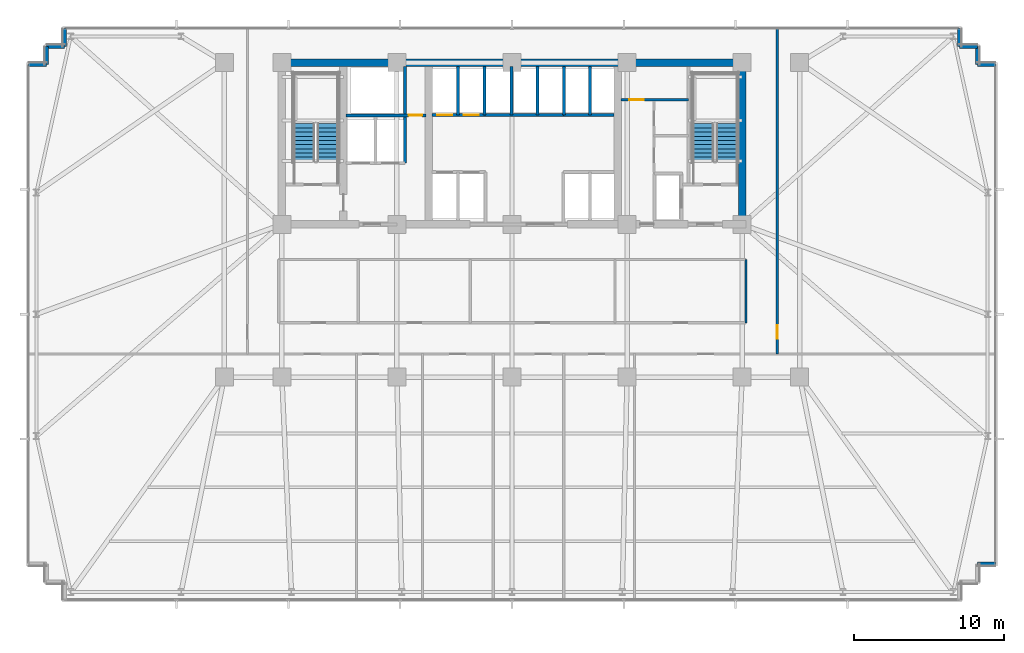
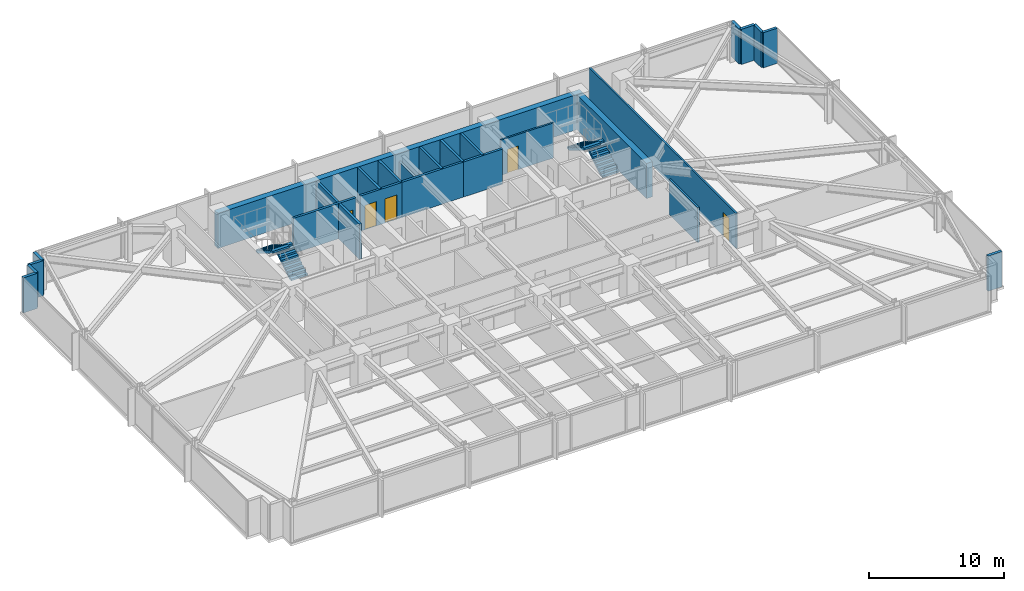
# One storey, part 26 of 32: 25 walls, 5 doors, 4 stair flights, 5 openings, 2 elements without a shape of their own.
"""IFC4 building model written with IfcOpenShell, lengths in metres."""

import ifcopenshell
import ifcopenshell.guid

model = None  # the IFC model being written
_history = None  # IfcOwnerHistory: only IFC2X3 demands one
_inside = {}  # id of a spatial element -> (the spatial element, [elements in it])
_under = {}  # id of a project, library or spatial element -> (it, [spatial elements below it])
_declared = {}  # id of a project -> (the project, [libraries it declares])
_typed = {}  # id of a type object -> (the type object, [elements of that type])
_made_of = {}  # id of a material, layer set ... -> (it, [elements and type objects made of it])


def new_model(schema):
    """Start an empty IFC model of exactly this schema.

    Asked for "IFC4X3", IfcOpenShell would pick the latest addendum, in which some entities
    have other attributes; the version numbers below select the first issue.
    IFC2X3 requires an IfcOwnerHistory on every rooted entity: one is made here for all.
    """
    global model, _history
    if schema == "IFC4X3":
        model = ifcopenshell.file(schema_version=(4, 3, 0, 0))
    else:
        model = ifcopenshell.file(schema=schema)
    _inside.clear()
    _under.clear()
    _declared.clear()
    _typed.clear()
    _made_of.clear()
    _history = None
    if model.schema == "IFC2X3":
        org = make("IfcOrganization", Name="unknown")
        user = make(
            "IfcPersonAndOrganization",
            ThePerson=make("IfcPerson", FamilyName="unknown"),
            TheOrganization=org,
        )
        app = make(
            "IfcApplication",
            ApplicationDeveloper=org,
            Version="unknown",
            ApplicationFullName="unknown",
            ApplicationIdentifier="unknown",
        )
        _history = make(
            "IfcOwnerHistory",
            OwningUser=user,
            OwningApplication=app,
            ChangeAction="ADDED",
            CreationDate=0,
        )
    return model


def make(cls, **values):
    """One entity of the class cls with the attributes given. An attribute that is None is left unset."""
    return model.create_entity(
        cls, **{name: value for name, value in values.items() if value is not None}
    )


def rooted(cls, **values):
    """An entity with a GlobalId (a new one), such as an element, a storey or a relation."""
    return make(cls, GlobalId=ifcopenshell.guid.new(), OwnerHistory=_history, **values)


def si_unit(unit_type, name, prefix=None):
    """IfcSIUnit, for example si_unit("LENGTHUNIT", "METRE", prefix="MILLI")."""
    return make("IfcSIUnit", UnitType=unit_type, Prefix=prefix, Name=name)


def assignment(units):
    """IfcUnitAssignment: the units of a project."""
    return None if units is None else make("IfcUnitAssignment", Units=units)


def point(xyz):
    """IfcCartesianPoint."""
    return None if xyz is None else make("IfcCartesianPoint", Coordinates=xyz)


def direction(xyz):
    """IfcDirection."""
    return None if xyz is None else make("IfcDirection", DirectionRatios=xyz)


def frame(location, z_axis=None, x_axis=None):
    """IfcAxis2Placement3D, a coordinate frame: its origin and axes. An axis left out is left unset."""
    return make(
        "IfcAxis2Placement3D",
        Location=point(location),
        Axis=direction(z_axis),
        RefDirection=direction(x_axis),
    )


def frame_2d(location, x_axis=None):
    """IfcAxis2Placement2D, a coordinate frame in the plane: its origin and x axis."""
    return make(
        "IfcAxis2Placement2D", Location=point(location), RefDirection=direction(x_axis)
    )


def origin():
    """The frame at (0, 0, 0) with its axes left unset."""
    return frame((0.0, 0.0, 0.0))


def place(relative_to, where):
    """IfcLocalPlacement: puts the frame where relative to a parent placement (None: the world)."""
    return make(
        "IfcLocalPlacement", PlacementRelTo=relative_to, RelativePlacement=where
    )


def context(
    kind, dimensions, precision=None, world=None, true_north=None, identifier=None
):
    """IfcGeometricRepresentationContext, for example the 3D "Model" context."""
    return make(
        "IfcGeometricRepresentationContext",
        ContextIdentifier=identifier,
        ContextType=kind,
        CoordinateSpaceDimension=dimensions,
        Precision=precision,
        WorldCoordinateSystem=world,
        TrueNorth=true_north,
    )


def subcontext(parent, identifier, kind, view, scale=None):
    """IfcGeometricRepresentationSubContext, for example "Body" below "Model"."""
    return make(
        "IfcGeometricRepresentationSubContext",
        ContextIdentifier=identifier,
        ContextType=kind,
        ParentContext=parent,
        TargetScale=scale,
        TargetView=view,
    )


def project(units=None, contexts=None):
    """IfcProject with its units and contexts."""
    return rooted(
        "IfcProject",
        Name="project",
        RepresentationContexts=contexts,
        UnitsInContext=assignment(units),
    )


def spatial(cls, under=None, at=None, **own):
    """A site, building, storey or space (cls), placed at a placement, below another one or the project."""
    s = rooted(cls, ObjectPlacement=at, **own)
    if under is not None:
        _under.setdefault(under.id(), (under, []))[1].append(s)
    return s


def polyline(points):
    """IfcPolyline through the points."""
    return make("IfcPolyline", Points=[point(p) for p in points])


def profile(cls, at=None, kind="AREA", **sizes):
    """A parametric profile (cls). Its sizes go by their IFC names, for example OverallWidth=200.0."""
    return make(cls, ProfileType=kind, Position=at, **sizes)


def rectangle(**sizes):
    """IfcRectangleProfileDef."""
    return profile("IfcRectangleProfileDef", **sizes)


def outline(outer, holes=None, kind="AREA"):
    """IfcArbitraryClosedProfileDef: a profile drawn as a closed curve; with holes, ...WithVoids."""
    if holes is None:
        return make("IfcArbitraryClosedProfileDef", ProfileType=kind, OuterCurve=outer)
    return make(
        "IfcArbitraryProfileDefWithVoids",
        ProfileType=kind,
        OuterCurve=outer,
        InnerCurves=holes,
    )


def extrude(swept, where, along, depth):
    """IfcExtrudedAreaSolid: the profile swept, set in the frame where, extruded along a direction by depth."""
    return make(
        "IfcExtrudedAreaSolid",
        SweptArea=swept,
        Position=where,
        ExtrudedDirection=direction(along),
        Depth=depth,
    )


def shape(context_of_items, identifier, shape_type, items):
    """IfcShapeRepresentation: the items that make up one representation, for example the "Body"."""
    return make(
        "IfcShapeRepresentation",
        ContextOfItems=context_of_items,
        RepresentationIdentifier=identifier,
        RepresentationType=shape_type,
        Items=items,
    )


def material(Name=None, Category=None):
    """IfcMaterial."""
    return make("IfcMaterial", Name=Name, Category=Category)


def layer(
    of_material, thickness, ventilated=None, Name=None, Category=None, Priority=None
):
    """IfcMaterialLayer: one layer of a wall or slab, of a material (None: an air gap)."""
    return make(
        "IfcMaterialLayer",
        Material=of_material,
        LayerThickness=thickness,
        IsVentilated=ventilated,
        Name=Name,
        Category=Category,
        Priority=Priority,
    )


def layer_set(layers, Name=None):
    """IfcMaterialLayerSet."""
    return make("IfcMaterialLayerSet", MaterialLayers=layers, LayerSetName=Name)


def made_of(thing, what):
    """Note that an element or type object is made of a material, layer set ...; save() writes the relation."""
    if what is not None:
        _made_of.setdefault(what.id(), (what, []))[1].append(thing)
    return thing


def type_object(cls, material=None, **own):
    """A type object (cls), such as IfcWallType, which elements share."""
    return made_of(rooted(cls, **own), material)


def element(
    cls,
    number,
    at=None,
    inside=None,
    cuts=None,
    type_object=None,
    material=None,
    context=None,
    identifier="Body",
    shape_type=None,
    held_by="IfcProductDefinitionShape",
    body=None,
    shapes=None,
    **own,
):
    """One element of the class cls, such as IfcWall. Its Tag is "e" and its number.

    at: its placement. inside: the storey or other place that contains it. cuts: it is an
    opening in that element (IfcRelVoidsElement). A single representation is given by context,
    identifier, shape_type and body (its items); several are given by shapes. held_by: the class
    of the entity that holds the representations. save() writes the other relations.
    """
    e = rooted(cls, Tag="e%d" % number, ObjectPlacement=at, **own)
    if body is not None:
        shapes = [shape(context, identifier, shape_type, body)]
    if shapes is not None:
        e.Representation = make(held_by, Representations=shapes)
    if inside is not None:
        _inside.setdefault(inside.id(), (inside, []))[1].append(e)
    if cuts is not None:
        rooted(
            "IfcRelVoidsElement", RelatingBuildingElement=cuts, RelatedOpeningElement=e
        )
    if type_object is not None:
        _typed.setdefault(type_object.id(), (type_object, []))[1].append(e)
    return made_of(e, material)


def fill(opening, filler):
    """IfcRelFillsElement: the door or window that sits in an opening."""
    return rooted(
        "IfcRelFillsElement",
        RelatingOpeningElement=opening,
        RelatedBuildingElement=filler,
    )


def aggregate(whole, parts):
    """IfcRelAggregates: a whole, such as a stair, and the parts it consists of."""
    return rooted("IfcRelAggregates", RelatingObject=whole, RelatedObjects=parts)


def save(model, path):
    """Write the relations noted so far, then the file.

    IfcRelAggregates (storeys below a building ...), IfcRelContainedInSpatialStructure (elements
    in a storey), IfcRelDefinesByType, IfcRelAssociatesMaterial and IfcRelDeclares: one each for
    every whole, place, type object, material and project.
    """
    for whole, parts in _under.values():
        aggregate(whole, parts)
    for where, things in _inside.values():
        rooted(
            "IfcRelContainedInSpatialStructure",
            RelatedElements=things,
            RelatingStructure=where,
        )
    for kind, things in _typed.values():
        rooted("IfcRelDefinesByType", RelatedObjects=things, RelatingType=kind)
    for what, things in _made_of.values():
        rooted("IfcRelAssociatesMaterial", RelatedObjects=things, RelatingMaterial=what)
    for by, libraries in _declared.values():
        rooted("IfcRelDeclares", RelatingContext=by, RelatedDefinitions=libraries)
    model.write(path)


model = new_model("IFC4")

# Units and contexts
model_context = context("Model", 3, precision=1e-05, world=origin(), true_north=direction((0.0, 1.0)))
body_context = subcontext(model_context, "Body", "Model", "MODEL_VIEW")
ifc_project = project(units=[si_unit("LENGTHUNIT", "METRE"), si_unit("AREAUNIT", "SQUARE_METRE"), si_unit("VOLUMEUNIT", "CUBIC_METRE"), si_unit("PLANEANGLEUNIT", "RADIAN"), si_unit("MASSUNIT", "GRAM", prefix="KILO")], contexts=[model_context])

# Site, building, storey
site_placement = place(None, origin())
site = spatial("IfcSite", under=ifc_project, at=site_placement, CompositionType="ELEMENT")
building_placement = place(site_placement, origin())
building = spatial("IfcBuilding", under=site, at=building_placement, Name="Yelkora Congress Tower", CompositionType="ELEMENT")
storey_placement = place(building_placement, frame((0.0, 0.0, 61.0)))
storey = spatial("IfcBuildingStorey", under=building, at=storey_placement, Name="L15", CompositionType="ELEMENT", Elevation=61.0)

# Walls
ifc_material_1 = material(Name="Concrete C60/75", Category="concrete")
ifc_layer_1 = layer(ifc_material_1, 0.5)
ifc_layer_set_1 = layer_set([ifc_layer_1], Name="Concrete C60/75")
wall_type_1 = type_object("IfcWallType", Name="WALL-CORE-INT-500", PredefinedType="SHEAR", material=ifc_layer_set_1)
wall_1_placement = place(storey_placement, frame((22.7900390625, 46.199951171875, 0.0), z_axis=(0.0, 0.0, 1.0), x_axis=(1.0, 0.0, 0.0)))
element("IfcWall", 1, at=wall_1_placement, inside=storey, type_object=wall_type_1, Name="L15 Rear Core North Shear Wall", PredefinedType="SHEAR", context=body_context, shape_type="SweptSolid", body=[
    extrude(rectangle(XDim=31.219970703125, YDim=0.5, at=frame_2d((15.60986328125, 0.0))), origin(), (0.0, 0.0, 1.0), 3.179931640625),
])
wall_2_placement = place(storey_placement, frame((53.760009765625, 35.64990234375, 0.0), z_axis=(0.0, 0.0, 1.0), x_axis=(0.0, 1.0, 0.0)))
element("IfcWall", 2, at=wall_2_placement, inside=storey, type_object=wall_type_1, Name="L15 Rear Core Cross Shear Wall E", PredefinedType="SHEAR", context=body_context, shape_type="SweptSolid", body=[
    extrude(rectangle(XDim=10.300048828125, YDim=0.5, at=frame_2d((5.14990234375, 0.0))), origin(), (0.0, 0.0, 1.0), 3.179931640625),
])
ifc_material_2 = material(Name="Concrete C40/50", Category="concrete")
ifc_layer_2 = layer(ifc_material_2, 0.239990234375)
ifc_layer_set_2 = layer_set([ifc_layer_2], Name="Concrete C40/50")
wall_type_2 = type_object("IfcWallType", Name="WALL-EXT-LIMESTONE-240", PredefinedType="SOLIDWALL", material=ifc_layer_set_2)
wall_3_placement = place(storey_placement, frame((6.139892578125, 46.06005859375, 0.0), z_axis=(0.0, 0.0, 1.0), x_axis=(1.0, 0.0, 0.0)))
element("IfcWall", 3, at=wall_3_placement, inside=storey, type_object=wall_type_2, Name="L15 Serrated Corner Limestone Pier 6", PredefinedType="SOLIDWALL", context=body_context, shape_type="SweptSolid", body=[
    extrude(rectangle(XDim=1.2001953125, YDim=0.239990234375, at=frame_2d((0.60009765625, 0.0))), origin(), (0.0, 0.0, 1.0), 3.179931640625),
])
for number, where, z_axis, x_axis, name in (
    (4, (7.340087890625, 46.06005859375, 0.0), (0.0, 0.0, 1.0), (0.0, 1.0, 0.0), "L15 Serrated Corner Limestone Pier 7"),
    (5, (7.340087890625, 47.260009765625, 0.0), (0.0, 0.0, 1.0), (1.0, 0.0, 0.0), "L15 Serrated Corner Limestone Pier 8"),
    (6, (8.5400390625, 47.260009765625, 0.0), (0.0, 0.0, 1.0), (0.0, 1.0, 0.0), "L15 Serrated Corner Limestone Pier 9"),
    (7, (68.260009765625, 48.4599609375, 0.0), (0.0, 0.0, 1.0), (0.0, -1.0, 0.0), "L15 Serrated Corner Limestone Pier 11"),
    (8, (68.260009765625, 47.260009765625, 0.0), (0.0, 0.0, 1.0), (1.0, 0.0, 0.0), "L15 Serrated Corner Limestone Pier 12"),
    (9, (69.4599609375, 47.260009765625, 0.0), (0.0, 0.0, 1.0), (0.0, -1.0, 0.0), "L15 Serrated Corner Limestone Pier 13"),
    (10, (69.4599609375, 46.06005859375, 0.0), (0.0, 0.0, 1.0), (1.0, 0.0, 0.0), "L15 Serrated Corner Limestone Pier 14"),
    (11, (70.659912109375, 12.739990234375, 0.0), (0.0, 0.0, 1.0), (-1.0, 0.0, 0.0), "L15 Serrated Corner Limestone Pier 16"),
):
    element("IfcWall", number, at=place(storey_placement, frame(where, z_axis=z_axis, x_axis=x_axis)), inside=storey, type_object=wall_type_2, Name=name, PredefinedType="SOLIDWALL", context=body_context, shape_type="SweptSolid", body=[
        extrude(rectangle(XDim=1.199951171875, YDim=0.239990234375, at=frame_2d((0.60009765625, 0.0))), origin(), (0.0, 0.0, 1.0), 3.179931640625),
    ])

# Wall, opening, door
ifc_material_3 = material(Name="Acoustic metal-stud gypsum partition", Category="gypsum")
ifc_layer_3 = layer(ifc_material_3, 0.14990234375)
ifc_layer_set_3 = layer_set([ifc_layer_3], Name="Acoustic metal-stud gypsum partition")
wall_type_3 = type_object("IfcWallType", Name="WALL-INT-150-NR", PredefinedType="PARTITIONING", material=ifc_layer_set_3)
wall_4_placement = place(storey_placement, frame((45.679931640625, 43.719970703125, 0.0), z_axis=(0.0, 0.0, 1.0), x_axis=(1.0, 0.0, 0.0)))
wall_4 = element("IfcWall", 12, at=wall_4_placement, inside=storey, type_object=wall_type_3, Name="L15 Partition Wall 28", PredefinedType="PARTITIONING", context=body_context, shape_type="SweptSolid", body=[
    extrude(rectangle(XDim=4.5, YDim=0.14990234375, at=frame_2d((2.25, 0.0))), origin(), (0.0, 0.0, 1.0), 3.179931640625),
])
opening_1_placement = place(wall_4_placement, frame((0.550048828125, 0.0, 0.0)))
opening_1 = element("IfcOpeningElement", 13, at=opening_1_placement, cuts=wall_4, Name="Opening DR-095N", PredefinedType="OPENING", context=body_context, shape_type="SweptSolid", body=[
    extrude(rectangle(XDim=0.949951171875, YDim=2.14990234375, at=frame_2d((0.47509765625, 1.074951171875))), frame((0.0, 0.0849609375, 0.0), z_axis=(0.0, -1.0, 0.0), x_axis=(1.0, 0.0, 0.0)), (0.0, 0.0, 1.0), 0.169921875),
])
ifc_material_4 = material(Name="Acoustic laminated timber office door", Category="wood")
door_type_1 = type_object("IfcDoorType", Name="DOOR-INT-950", OperationType="NOTDEFINED", PredefinedType="DOOR", material=ifc_material_4)
door_1_placement = place(opening_1_placement, origin())
door_1 = element("IfcDoor", 14, at=door_1_placement, inside=storey, type_object=door_type_1, Name="L15 Accessible WC Door", OperationType="SINGLE_SWING_RIGHT", OverallHeight=2.14990234375, OverallWidth=0.949951171875, PredefinedType="DOOR", context=body_context, shape_type="SweptSolid", body=[
    extrude(rectangle(XDim=0.949951171875, YDim=2.14990234375, at=frame_2d((0.47509765625, 1.074951171875))), frame((0.0, 0.02490234375, 0.0), z_axis=(0.0, -1.0, 0.0), x_axis=(1.0, 0.0, 0.0)), (0.0, 0.0, 1.0), 0.050048828125),
])
fill(opening_1, door_1)

wall_5_placement = place(storey_placement, frame((56.10009765625, 26.75, 0.0), z_axis=(0.0, 0.0, 1.0), x_axis=(0.0, 1.0, 0.0)))
wall_5 = element("IfcWall", 15, at=wall_5_placement, inside=storey, type_object=wall_type_3, Name="L15 Partition Wall 38", PredefinedType="PARTITIONING", context=body_context, shape_type="SweptSolid", body=[
    extrude(rectangle(XDim=21.77001953125, YDim=0.14990234375, at=frame_2d((10.885009765625, 0.0))), origin(), (0.0, 0.0, 1.0), 3.179931640625),
])
opening_2_placement = place(wall_5_placement, frame((1.030029296875, 0.0, 0.0)))
opening_2 = element("IfcOpeningElement", 16, at=opening_2_placement, cuts=wall_5, Name="Opening DR-090N", PredefinedType="OPENING", context=body_context, shape_type="SweptSolid", body=[
    extrude(rectangle(XDim=0.89990234375, YDim=2.14990234375, at=frame_2d((0.449951171875, 1.074951171875))), frame((0.0, 0.0849609375, 0.0), z_axis=(0.0, -1.0, 0.0), x_axis=(1.0, 0.0, 0.0)), (0.0, 0.0, 1.0), 0.169921875),
])
ifc_material_5 = material(Name="Moisture-resistant laminate door leaf", Category="wood")
door_type_2 = type_object("IfcDoorType", Name="DOOR-INT-900", OperationType="NOTDEFINED", PredefinedType="DOOR", material=ifc_material_5)
door_2_placement = place(opening_2_placement, origin())
door_2 = element("IfcDoor", 17, at=door_2_placement, inside=storey, type_object=door_type_2, Name="L15 E Wing Door", OperationType="SINGLE_SWING_RIGHT", OverallHeight=2.14990234375, OverallWidth=0.89990234375, PredefinedType="DOOR", context=body_context, shape_type="SweptSolid", body=[
    extrude(rectangle(XDim=0.89990234375, YDim=2.14990234375, at=frame_2d((0.449951171875, 1.074951171875))), frame((0.0, 0.02490234375, 0.0), z_axis=(0.0, -1.0, 0.0), x_axis=(1.0, 0.0, 0.0)), (0.0, 0.0, 1.0), 0.050048828125),
])
fill(opening_2, door_2)

# Walls
wall_6_placement = place(storey_placement, frame((54.02001953125, 28.830078125, 0.0), z_axis=(0.0, 0.0, 1.0), x_axis=(0.0, 1.0, 0.0)))
element("IfcWall", 18, at=wall_6_placement, inside=storey, type_object=wall_type_3, Name="L15 Partition Wall 40", PredefinedType="PARTITIONING", context=body_context, shape_type="SweptSolid", body=[
    extrude(rectangle(XDim=4.219970703125, YDim=0.14990234375, at=frame_2d((2.10986328125, 0.0))), origin(), (0.0, 0.0, 1.0), 3.179931640625),
])
ifc_material_6 = material(Name="Autoclaved aerated concrete blockwork", Category="masonry")
ifc_layer_4 = layer(ifc_material_6, 0.199951171875)
ifc_layer_set_4 = layer_set([ifc_layer_4], Name="Autoclaved aerated concrete blockwork")
wall_type_4 = type_object("IfcWallType", Name="WALL-INT-200-R120", PredefinedType="PARTITIONING", material=ifc_layer_set_4)
wall_7_placement = place(storey_placement, frame((31.260009765625, 39.47998046875, 0.0), z_axis=(0.0, 0.0, 1.0), x_axis=(0.0, 1.0, 0.0)))
element("IfcWall", 19, at=wall_7_placement, inside=storey, type_object=wall_type_4, Name="L15 Partition Wall 5", PredefinedType="PARTITIONING", context=body_context, shape_type="SweptSolid", body=[
    extrude(rectangle(XDim=6.43994140625, YDim=0.199951171875, at=frame_2d((3.219970703125, 0.0))), origin(), (0.0, 0.0, 1.0), 3.179931640625),
])

# Wall, opening, door
wall_8_placement = place(storey_placement, frame((27.320068359375, 42.679931640625, 0.0), z_axis=(0.0, 0.0, 1.0), x_axis=(1.0, 0.0, 0.0)))
wall_8 = element("IfcWall", 20, at=wall_8_placement, inside=storey, type_object=wall_type_4, Name="L15 Smoke Riser South Wall", PredefinedType="PARTITIONING", context=body_context, shape_type="SweptSolid", body=[
    extrude(rectangle(XDim=5.329833984375, YDim=0.199951171875, at=frame_2d((2.6650390625, 0.0))), origin(), (0.0, 0.0, 1.0), 3.179931640625),
])
opening_3_placement = place(wall_8_placement, frame((4.179931640625, 0.0, 0.0)))
opening_3 = element("IfcOpeningElement", 21, at=opening_3_placement, cuts=wall_8, Name="Opening DR-090F6", PredefinedType="OPENING", context=body_context, shape_type="SweptSolid", body=[
    extrude(rectangle(XDim=0.89990234375, YDim=2.14990234375, at=frame_2d((0.449951171875, 1.074951171875))), frame((0.0, 0.10986328125, 0.0), z_axis=(0.0, -1.0, 0.0), x_axis=(1.0, 0.0, 0.0)), (0.0, 0.0, 1.0), 0.219970703125),
])
ifc_material_7 = material(Name="Painted steel riser fire door leaf", Category="steel")
door_type_3 = type_object("IfcDoorType", Name="DOOR-FD60-900", OperationType="NOTDEFINED", PredefinedType="DOOR", material=ifc_material_7)
door_3_placement = place(opening_3_placement, origin())
door_3 = element("IfcDoor", 22, at=door_3_placement, inside=storey, type_object=door_type_3, Name="L15 Riser Access Door", OperationType="SINGLE_SWING_LEFT", OverallHeight=2.14990234375, OverallWidth=0.89990234375, PredefinedType="DOOR", context=body_context, shape_type="SweptSolid", body=[
    extrude(rectangle(XDim=0.89990234375, YDim=2.14990234375, at=frame_2d((0.449951171875, 1.074951171875))), frame((0.0, 0.02490234375, 0.0), z_axis=(0.0, -1.0, 0.0), x_axis=(1.0, 0.0, 0.0)), (0.0, 0.0, 1.0), 0.050048828125),
])
fill(opening_3, door_3)

# Walls
wall_9_placement = place(storey_placement, frame((36.60009765625, 42.699951171875, 0.0), z_axis=(0.0, 0.0, 1.0), x_axis=(1.0, 0.0, 0.0)))
element("IfcWall", 23, at=wall_9_placement, inside=storey, type_object=wall_type_4, Name="L15 Partition Wall 8", PredefinedType="PARTITIONING", context=body_context, shape_type="SweptSolid", body=[
    extrude(rectangle(XDim=5.25, YDim=0.199951171875, at=frame_2d((2.625, 0.0))), origin(), (0.0, 0.0, 1.0), 3.179931640625),
])
wall_10_placement = place(storey_placement, frame((38.35009765625, 42.699951171875, 0.0), z_axis=(0.0, 0.0, 1.0), x_axis=(0.0, 1.0, 0.0)))
element("IfcWall", 24, at=wall_10_placement, inside=storey, type_object=wall_type_4, Name="L15 Partition Wall 9", PredefinedType="PARTITIONING", context=body_context, shape_type="SweptSolid", body=[
    extrude(rectangle(XDim=3.219970703125, YDim=0.199951171875, at=frame_2d((1.60986328125, 0.0))), origin(), (0.0, 0.0, 1.0), 2.47509765625),
])
wall_11_placement = place(storey_placement, frame((40.10009765625, 42.699951171875, 0.0), z_axis=(0.0, 0.0, 1.0), x_axis=(0.0, 1.0, 0.0)))
element("IfcWall", 25, at=wall_11_placement, inside=storey, type_object=wall_type_4, Name="L15 Partition Wall 10", PredefinedType="PARTITIONING", context=body_context, shape_type="SweptSolid", body=[
    extrude(rectangle(XDim=3.219970703125, YDim=0.199951171875, at=frame_2d((1.60986328125, 0.0))), origin(), (0.0, 0.0, 1.0), 3.179931640625),
])

# Wall, openings, doors
wall_12_placement = place(storey_placement, frame((33.050048828125, 42.699951171875, 0.0), z_axis=(0.0, 0.0, 1.0), x_axis=(1.0, 0.0, 0.0)))
wall_12 = element("IfcWall", 26, at=wall_12_placement, inside=storey, type_object=wall_type_4, Name="L15 Partition Wall 12", PredefinedType="PARTITIONING", context=body_context, shape_type="SweptSolid", body=[
    extrude(rectangle(XDim=3.570068359375, YDim=0.199951171875, at=frame_2d((1.78515625, 0.0))), origin(), (0.0, 0.0, 1.0), 3.179931640625),
])
opening_4_placement = place(wall_12_placement, frame((0.375, 0.0, 0.0)))
opening_4 = element("IfcOpeningElement", 27, at=opening_4_placement, cuts=wall_12, Name="Opening LD-PS10", PredefinedType="OPENING", context=body_context, shape_type="SweptSolid", body=[
    extrude(rectangle(XDim=1.0, YDim=2.199951171875, at=frame_2d((0.5, 1.10009765625))), frame((0.0, 0.10986328125, 0.0), z_axis=(0.0, -1.0, 0.0), x_axis=(1.0, 0.0, 0.0)), (0.0, 0.0, 1.0), 0.219970703125),
])
opening_5_placement = place(wall_12_placement, frame((2.125, 0.0, 0.0)))
opening_5 = element("IfcOpeningElement", 28, at=opening_5_placement, cuts=wall_12, Name="Opening LD-PS10", PredefinedType="OPENING", context=body_context, shape_type="SweptSolid", body=[
    extrude(rectangle(XDim=1.0, YDim=2.199951171875, at=frame_2d((0.5, 1.10009765625))), frame((0.0, 0.10986328125, 0.0), z_axis=(0.0, -1.0, 0.0), x_axis=(1.0, 0.0, 0.0)), (0.0, 0.0, 1.0), 0.219970703125),
])
ifc_material_8 = material(Name="Champagne stainless steel landing door", Category="steel")
door_type_4 = type_object("IfcDoorType", Name="DOOR-LIFT-PAS-1000", OperationType="DOUBLE_DOOR_SLIDING", PredefinedType="DOOR", material=ifc_material_8)
door_4_placement = place(opening_4_placement, origin())
door_4 = element("IfcDoor", 29, at=door_4_placement, inside=storey, type_object=door_type_4, Name="Lift Landing Door LF-P3 L15", OperationType="DOUBLE_DOOR_SLIDING", OverallHeight=2.199951171875, OverallWidth=1.0, PredefinedType="DOOR", context=body_context, shape_type="SweptSolid", body=[
    extrude(rectangle(XDim=1.0, YDim=2.199951171875, at=frame_2d((0.5, 1.10009765625))), frame((0.0, 0.02490234375, 0.0), z_axis=(0.0, -1.0, 0.0), x_axis=(1.0, 0.0, 0.0)), (0.0, 0.0, 1.0), 0.050048828125),
])
fill(opening_4, door_4)
door_5_placement = place(opening_5_placement, origin())
door_5 = element("IfcDoor", 30, at=door_5_placement, inside=storey, type_object=door_type_4, Name="Lift Landing Door LF-P4 L15", OperationType="DOUBLE_DOOR_SLIDING", OverallHeight=2.199951171875, OverallWidth=1.0, PredefinedType="DOOR", context=body_context, shape_type="SweptSolid", body=[
    extrude(rectangle(XDim=1.0, YDim=2.199951171875, at=frame_2d((0.5, 1.10009765625))), frame((0.0, 0.02490234375, 0.0), z_axis=(0.0, -1.0, 0.0), x_axis=(1.0, 0.0, 0.0)), (0.0, 0.0, 1.0), 0.050048828125),
])
fill(opening_5, door_5)

# Walls
for number, where, z_axis, x_axis, name in (
    (31, (34.800048828125, 42.699951171875, 0.0), (0.0, 0.0, 1.0), (0.0, 1.0, 0.0), "L15 Partition Wall 14"),
    (32, (36.580078125, 42.699951171875, 0.0), (0.0, 0.0, 1.0), (0.0, 1.0, 0.0), "L15 Partition Wall 16"),
):
    element("IfcWall", number, at=place(storey_placement, frame(where, z_axis=z_axis, x_axis=x_axis)), inside=storey, type_object=wall_type_4, Name=name, PredefinedType="PARTITIONING", context=body_context, shape_type="SweptSolid", body=[
        extrude(rectangle(XDim=3.219970703125, YDim=0.199951171875, at=frame_2d((1.60986328125, 0.0))), origin(), (0.0, 0.0, 1.0), 3.179931640625),
    ])
wall_13_placement = place(storey_placement, frame((41.85009765625, 42.699951171875, 0.0), z_axis=(0.0, 0.0, 1.0), x_axis=(1.0, 0.0, 0.0)))
element("IfcWall", 33, at=wall_13_placement, inside=storey, type_object=wall_type_4, Name="L15 Partition Wall 18", PredefinedType="PARTITIONING", context=body_context, shape_type="SweptSolid", body=[
    extrude(rectangle(XDim=3.369873046875, YDim=0.199951171875, at=frame_2d((1.68505859375, 0.0))), origin(), (0.0, 0.0, 1.0), 3.179931640625),
])
for number, where, z_axis, x_axis, name in (
    (34, (43.60009765625, 42.699951171875, 0.0), (0.0, 0.0, 1.0), (0.0, 1.0, 0.0), "L15 Partition Wall 20"),
    (35, (41.8798828125, 42.699951171875, 0.0), (0.0, 0.0, 1.0), (0.0, 1.0, 0.0), "L15 Partition Wall 22"),
):
    element("IfcWall", number, at=place(storey_placement, frame(where, z_axis=z_axis, x_axis=x_axis)), inside=storey, type_object=wall_type_4, Name=name, PredefinedType="PARTITIONING", context=body_context, shape_type="SweptSolid", body=[
        extrude(rectangle(XDim=3.219970703125, YDim=0.199951171875, at=frame_2d((1.60986328125, 0.0))), origin(), (0.0, 0.0, 1.0), 3.179931640625),
    ])

# Stair, stair flights
stair_type = type_object("IfcStairType", Name="STAIR-HT-1420-R20-170", PredefinedType="HALF_TURN_STAIR", material=ifc_material_2)
stair_1_placement = place(storey_placement, origin())
stair_1 = element("IfcStair", 36, at=stair_1_placement, inside=storey, type_object=stair_type, Name="West Core Protected Exit Stair ST-01 (L15)", PredefinedType="HALF_TURN_STAIR")
stair_flight_type = type_object("IfcStairFlightType", Name="FLIGHT-1420-N10-R170-G280", PredefinedType="STRAIGHT", material=ifc_material_2)
stair_flight_1_placement = place(storey_placement, frame((26.110107421875, 39.60009765625, 0.0), z_axis=(0.0, 0.0, 1.0), x_axis=(0.0, 1.0, 0.0)))
stair_flight_1 = element("IfcStairFlight", 37, at=stair_flight_1_placement, type_object=stair_flight_type, Name="ST-01 L15 Flight 1", NumberOfRisers=10, NumberOfTreads=9, PredefinedType="STRAIGHT", RiserHeight=0.17, TreadLength=0.28, context=body_context, shape_type="SweptSolid", body=[
    extrude(outline(polyline([(0.0, 0.0), (0.0, 0.169921875), (0.280029296875, 0.169921875), (0.280029296875, 0.340087890625), (0.56005859375, 0.340087890625), (0.56005859375, 0.510009765625), (0.840087890625, 0.510009765625), (0.840087890625, 0.679931640625), (1.1201171875, 0.679931640625), (1.1201171875, 0.85009765625), (1.39990234375, 0.85009765625), (1.39990234375, 1.02001953125), (1.679931640625, 1.02001953125), (1.679931640625, 1.18994140625), (1.9599609375, 1.18994140625), (1.9599609375, 1.360107421875), (2.239990234375, 1.360107421875), (2.239990234375, 1.530029296875), (2.52001953125, 1.530029296875), (2.52001953125, 1.699951171875), (2.52001953125, 1.343017578125), (0.30810546875, 0.0), (0.0, 0.0)])), frame((0.0, 0.7099609375, 0.0), z_axis=(0.0, -1.0, 0.0), x_axis=(1.0, 0.0, 0.0)), (0.0, 0.0, 1.0), 1.419921875),
])
stair_flight_2_placement = place(storey_placement, frame((24.530029296875, 42.1201171875, 1.699951171875), z_axis=(0.0, 0.0, 1.0), x_axis=(0.0, -1.0, 0.0)))
stair_flight_2 = element("IfcStairFlight", 38, at=stair_flight_2_placement, type_object=stair_flight_type, Name="ST-01 L15 Flight 2", NumberOfRisers=10, NumberOfTreads=9, PredefinedType="STRAIGHT", RiserHeight=0.17, TreadLength=0.28, context=body_context, shape_type="SweptSolid", body=[
    extrude(outline(polyline([(0.0, 0.0), (0.0, 0.169921875), (0.280029296875, 0.169921875), (0.280029296875, 0.340087890625), (0.56005859375, 0.340087890625), (0.56005859375, 0.510009765625), (0.840087890625, 0.510009765625), (0.840087890625, 0.679931640625), (1.1201171875, 0.679931640625), (1.1201171875, 0.85009765625), (1.39990234375, 0.85009765625), (1.39990234375, 1.02001953125), (1.679931640625, 1.02001953125), (1.679931640625, 1.18994140625), (1.9599609375, 1.18994140625), (1.9599609375, 1.360107421875), (2.239990234375, 1.360107421875), (2.239990234375, 1.530029296875), (2.52001953125, 1.530029296875), (2.52001953125, 1.699951171875), (2.52001953125, 1.343017578125), (0.30810546875, 0.0), (0.0, 0.0)])), frame((0.0, 0.7099609375, 0.0), z_axis=(0.0, -1.0, 0.0), x_axis=(1.0, 0.0, 0.0)), (0.0, 0.0, 1.0), 1.419921875),
])
aggregate(stair_1, [stair_flight_1, stair_flight_2])

stair_2_placement = place(storey_placement, origin())
stair_2 = element("IfcStair", 39, at=stair_2_placement, inside=storey, type_object=stair_type, Name="East Core Protected Exit Stair ST-02 (L15)", PredefinedType="HALF_TURN_STAIR")
stair_flight_3_placement = place(storey_placement, frame((52.75, 39.60009765625, 0.0), z_axis=(0.0, 0.0, 1.0), x_axis=(0.0, 1.0, 0.0)))
stair_flight_3 = element("IfcStairFlight", 40, at=stair_flight_3_placement, type_object=stair_flight_type, Name="ST-02 L15 Flight 1", NumberOfRisers=10, NumberOfTreads=9, PredefinedType="STRAIGHT", RiserHeight=0.17, TreadLength=0.28, context=body_context, shape_type="SweptSolid", body=[
    extrude(outline(polyline([(0.0, 0.0), (0.0, 0.169921875), (0.280029296875, 0.169921875), (0.280029296875, 0.340087890625), (0.56005859375, 0.340087890625), (0.56005859375, 0.510009765625), (0.840087890625, 0.510009765625), (0.840087890625, 0.679931640625), (1.1201171875, 0.679931640625), (1.1201171875, 0.85009765625), (1.39990234375, 0.85009765625), (1.39990234375, 1.02001953125), (1.679931640625, 1.02001953125), (1.679931640625, 1.18994140625), (1.9599609375, 1.18994140625), (1.9599609375, 1.360107421875), (2.239990234375, 1.360107421875), (2.239990234375, 1.530029296875), (2.52001953125, 1.530029296875), (2.52001953125, 1.699951171875), (2.52001953125, 1.343017578125), (0.30810546875, 0.0), (0.0, 0.0)])), frame((0.0, 0.7099609375, 0.0), z_axis=(0.0, -1.0, 0.0), x_axis=(1.0, 0.0, 0.0)), (0.0, 0.0, 1.0), 1.419921875),
])
stair_flight_4_placement = place(storey_placement, frame((51.169921875, 42.1201171875, 1.699951171875), z_axis=(0.0, 0.0, 1.0), x_axis=(0.0, -1.0, 0.0)))
stair_flight_4 = element("IfcStairFlight", 41, at=stair_flight_4_placement, type_object=stair_flight_type, Name="ST-02 L15 Flight 2", NumberOfRisers=10, NumberOfTreads=9, PredefinedType="STRAIGHT", RiserHeight=0.17, TreadLength=0.28, context=body_context, shape_type="SweptSolid", body=[
    extrude(outline(polyline([(0.0, 0.0), (0.0, 0.169921875), (0.280029296875, 0.169921875), (0.280029296875, 0.340087890625), (0.56005859375, 0.340087890625), (0.56005859375, 0.510009765625), (0.840087890625, 0.510009765625), (0.840087890625, 0.679931640625), (1.1201171875, 0.679931640625), (1.1201171875, 0.85009765625), (1.39990234375, 0.85009765625), (1.39990234375, 1.02001953125), (1.679931640625, 1.02001953125), (1.679931640625, 1.18994140625), (1.9599609375, 1.18994140625), (1.9599609375, 1.360107421875), (2.239990234375, 1.360107421875), (2.239990234375, 1.530029296875), (2.52001953125, 1.530029296875), (2.52001953125, 1.699951171875), (2.52001953125, 1.343017578125), (0.30810546875, 0.0), (0.0, 0.0)])), frame((0.0, 0.7099609375, 0.0), z_axis=(0.0, -1.0, 0.0), x_axis=(1.0, 0.0, 0.0)), (0.0, 0.0, 1.0), 1.419921875),
])
aggregate(stair_2, [stair_flight_3, stair_flight_4])

save(model, "model.ifc")
